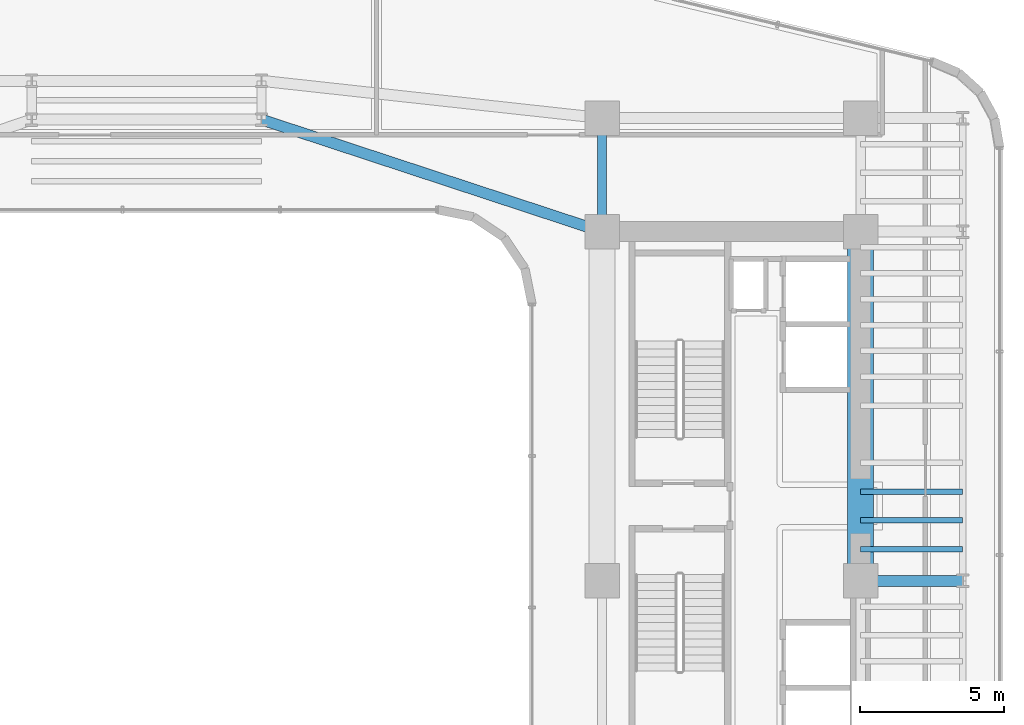
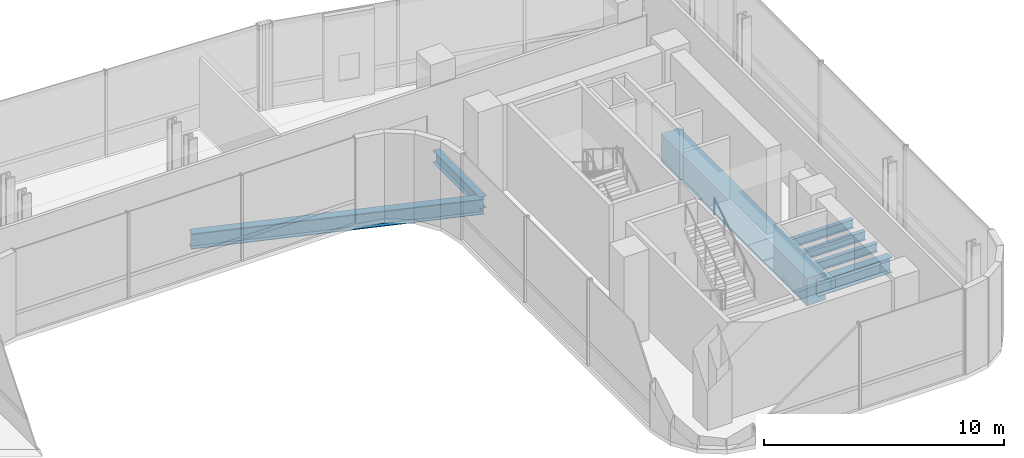
# One storey, part 14 of 32: 7 beams.
"""IFC4 building model written with IfcOpenShell, lengths in metres."""

from ifc_helpers import new_model, si_unit, direction, frame, origin, origin_2d, place, context, subcontext, project, spatial, rectangle, i_section, extrude, source, transform, mapped, material, material_profile, profile_set, type_object, element, save


model = new_model("IFC4")

# Units and contexts
model_context = context("Model", 3, precision=1e-05, world=origin(), true_north=direction((0.0, 1.0)))
body_context = subcontext(model_context, "Body", "Model", "MODEL_VIEW")
ifc_project = project(units=[si_unit("LENGTHUNIT", "METRE"), si_unit("AREAUNIT", "SQUARE_METRE"), si_unit("VOLUMEUNIT", "CUBIC_METRE"), si_unit("PLANEANGLEUNIT", "RADIAN"), si_unit("MASSUNIT", "GRAM", prefix="KILO")], contexts=[model_context])

# Site, building, storey
site_placement = place(None, origin())
site = spatial("IfcSite", under=ifc_project, at=site_placement, CompositionType="ELEMENT")
building_placement = place(site_placement, origin())
building = spatial("IfcBuilding", under=site, at=building_placement, Name="Valdorenza Pilgrim Sanctuary Tower", CompositionType="ELEMENT")
storey_placement = place(building_placement, frame((0.0, 0.0, 101.10009765625)))
storey = spatial("IfcBuildingStorey", under=building, at=storey_placement, Name="L25", CompositionType="ELEMENT", Elevation=101.10009765625)

# Beams
ifc_material_1 = material(Name="Concrete C60/75", Category="concrete")
ifc_material_profile_1 = material_profile(ifc_material_1, rectangle(XDim=0.89990234375, YDim=1.39990234375, at=origin_2d()), Name="RC 1400x900")
ifc_profile_set_1 = profile_set([ifc_material_profile_1], Name="Concrete C60/75")
beam_type_1 = type_object("IfcBeamType", Name="STR-BM-LNT-1400", PredefinedType="LINTEL", material=ifc_profile_set_1)
shared_shape_1 = source(origin(), body_context, "Body", "SweptSolid", [
    extrude(rectangle(XDim=0.89990234375, YDim=1.39990234375, at=origin_2d()), origin(), (0.0, 0.0, 1.0), 12.150146484375),
])
beam_1_placement = place(storey_placement, frame((24.85009765625, -2.60009765625, -0.739990234375), z_axis=(0.0, 1.0, 0.0), x_axis=(-1.0, 0.0, 0.0)))
element("IfcBeam", 1, at=beam_1_placement, inside=storey, type_object=beam_type_1, Name="L25 Core B East Coupling Lintel Girder", PredefinedType="LINTEL", context=body_context, shape_type="MappedRepresentation", body=[
    mapped(shared_shape_1, transform((0.0, 0.0, 0.0), x_axis=(1.0, 0.0, 0.0), y_axis=(0.0, 1.0, 0.0), z_axis=(0.0, 0.0, 1.0), scale=1.0)),
])
ifc_material_2 = material(Name="Steel ASTM A992 Grade 50", Category="steel")
ifc_material_profile_2 = material_profile(ifc_material_2, i_section(OverallWidth=0.323974609375, OverallDepth=0.611083984375, WebThickness=0.0126953125, FlangeThickness=0.01904296875, at=origin_2d()), Name="W24X104")
ifc_profile_set_2 = profile_set([ifc_material_profile_2], Name="Steel ASTM A992 Grade 50")
beam_type_2 = type_object("IfcBeamType", Name="STR-BM-GRD-W24B", PredefinedType="BEAM", material=ifc_profile_set_2)
shared_shape_2 = source(origin(), body_context, "Body", "SweptSolid", [
    extrude(i_section(OverallWidth=0.323974609375, OverallDepth=0.611083984375, WebThickness=0.0126953125, FlangeThickness=0.01904296875, at=origin_2d()), origin(), (0.0, 0.0, 1.0), 3.949951171875),
])
beam_2_placement = place(storey_placement, frame((15.85009765625, 9.550048828125, -0.545654296875), z_axis=(0.0, 1.0, 0.0), x_axis=(-1.0, 0.0, 0.0)))
element("IfcBeam", 2, at=beam_2_placement, inside=storey, type_object=beam_type_2, Name="L25 Core Tie Girder CB-W-N1N2", PredefinedType="BEAM", context=body_context, shape_type="MappedRepresentation", body=[
    mapped(shared_shape_2, transform((0.0, 0.0, 0.0), x_axis=(1.0, 0.0, 0.0), y_axis=(0.0, 1.0, 0.0), z_axis=(0.0, 0.0, 1.0), scale=1.0)),
])
ifc_material_profile_3 = material_profile(ifc_material_2, i_section(OverallWidth=0.382080078125, OverallDepth=0.779052734375, WebThickness=0.01806640625, FlangeThickness=0.030029296875, at=origin_2d()), Name="W30X191")
ifc_profile_set_3 = profile_set([ifc_material_profile_3], Name="Steel ASTM A992 Grade 50")
beam_type_3 = type_object("IfcBeamType", Name="STR-BM-GRD-W30", PredefinedType="BEAM", material=ifc_profile_set_3)
shared_shape_3 = source(origin(), body_context, "Body", "SweptSolid", [
    extrude(i_section(OverallWidth=0.382080078125, OverallDepth=0.779052734375, WebThickness=0.01806640625, FlangeThickness=0.030029296875, at=origin_2d()), origin(), (0.0, 0.0, 1.0), 3.5498046875),
])
beam_3_placement = place(storey_placement, frame((24.85009765625, -2.60009765625, -0.629638671875), z_axis=(1.0, 0.0, 0.0), x_axis=(0.0, 1.0, 0.0)))
element("IfcBeam", 3, at=beam_3_placement, inside=storey, type_object=beam_type_3, Name="L25 Floor Girder WB-XE-M0", PredefinedType="BEAM", context=body_context, shape_type="MappedRepresentation", body=[
    mapped(shared_shape_3, transform((0.0, 0.0, 0.0), x_axis=(1.0, 0.0, 0.0), y_axis=(0.0, 1.0, 0.0), z_axis=(0.0, 0.0, 1.0), scale=1.0)),
])
ifc_material_profile_4 = material_profile(ifc_material_2, i_section(OverallWidth=0.19091796875, OverallDepth=0.45703125, WebThickness=0.009033203125, FlangeThickness=0.014404296875, at=origin_2d()), Name="W18X50")
ifc_profile_set_4 = profile_set([ifc_material_profile_4], Name="Steel ASTM A992 Grade 50")
beam_type_4 = type_object("IfcBeamType", Name="STR-BM-JST-W18B", PredefinedType="JOIST", material=ifc_profile_set_4)
shared_shape_4 = source(origin(), body_context, "Body", "SweptSolid", [
    extrude(i_section(OverallWidth=0.19091796875, OverallDepth=0.45703125, WebThickness=0.009033203125, FlangeThickness=0.014404296875, at=origin_2d()), origin(), (0.0, 0.0, 1.0), 3.5498046875),
])
for number, where, z_axis, x_axis, name in (
    (4, (24.85009765625, -1.5, -0.468505859375), (1.0, 0.0, 0.0), (0.0, 1.0, 0.0), "L25 Composite Floor Joist JST-WB-8"),
    (5, (24.85009765625, -0.5, -0.468505859375), (1.0, 0.0, 0.0), (0.0, 1.0, 0.0), "L25 Composite Floor Joist JST-WB-9"),
    (6, (24.85009765625, 0.5, -0.468505859375), (1.0, 0.0, 0.0), (0.0, 1.0, 0.0), "L25 Composite Floor Joist JST-WB-10"),
):
    element("IfcBeam", number, at=place(storey_placement, frame(where, z_axis=z_axis, x_axis=x_axis)), inside=storey, type_object=beam_type_4, Name=name, PredefinedType="JOIST", context=body_context, shape_type="MappedRepresentation", body=[
        mapped(shared_shape_4, transform((0.0, 0.0, 0.0), x_axis=(1.0, 0.0, 0.0), y_axis=(0.0, 1.0, 0.0), z_axis=(0.0, 0.0, 1.0), scale=1.0)),
    ])
shared_shape_5 = source(origin(), body_context, "Body", "SweptSolid", [
    extrude(i_section(OverallWidth=0.382080078125, OverallDepth=0.779052734375, WebThickness=0.01806640625, FlangeThickness=0.030029296875, at=origin_2d()), origin(), (0.0, 0.0, 1.0), 12.475341796875),
])
beam_4_placement = place(storey_placement, frame((4.0, 13.449951171875, -0.629638671875), z_axis=(0.949881908141, -0.312608957943, 0.0), x_axis=(0.312608957943, 0.949881908141, 0.0)))
element("IfcBeam", 7, at=beam_4_placement, inside=storey, type_object=beam_type_3, Name="L25 Floor Girder KNK-G3", PredefinedType="BEAM", context=body_context, shape_type="MappedRepresentation", body=[
    mapped(shared_shape_5, transform((0.0, 0.0, 0.0), x_axis=(1.0, 0.0, 0.0), y_axis=(0.0, 1.0, 0.0), z_axis=(0.0, 0.0, 1.0), scale=1.0)),
])

save(model, "model.ifc")
